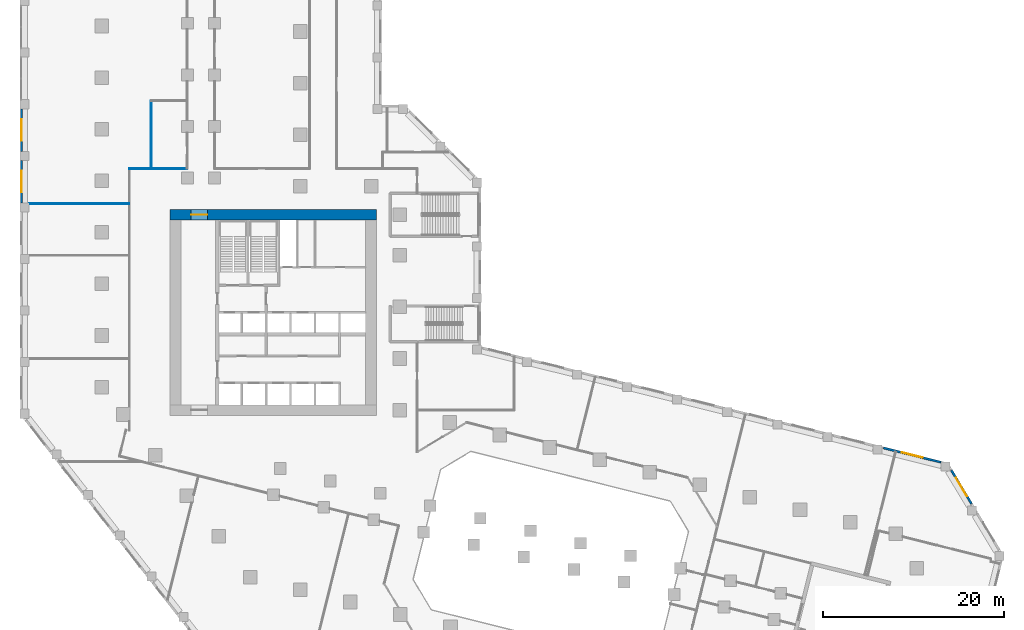
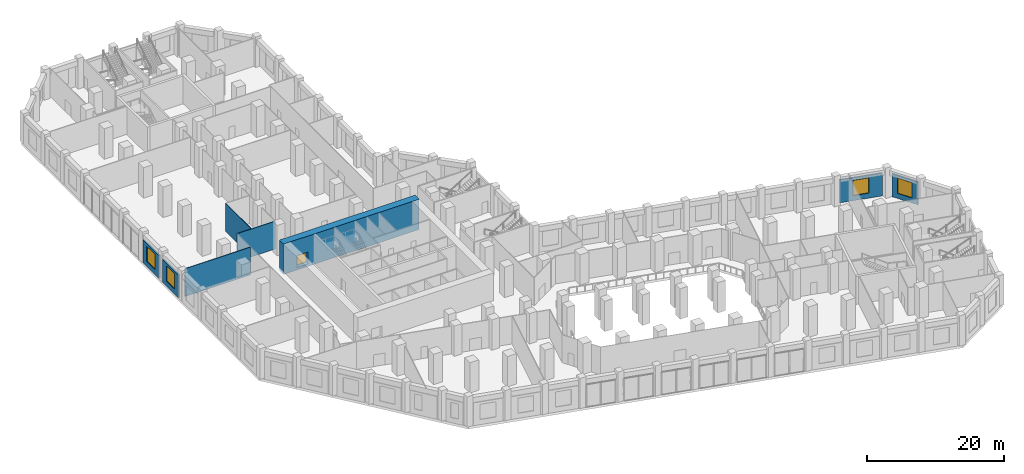
# One storey, part 14 of 23: 8 walls, 4 windows, 1 door, 5 openings.
"""IFC4 building model written with IfcOpenShell, lengths in metres."""

from ifc_helpers import new_model, si_unit, direction, frame, frame_2d, origin, place, context, subcontext, project, spatial, rectangle, extrude, material, layer, layer_set, type_object, element, fill, save


model = new_model("IFC4")

# Units and contexts
model_context = context("Model", 3, precision=1e-05, world=origin(), true_north=direction((0.0, 1.0)))
body_context = subcontext(model_context, "Body", "Model", "MODEL_VIEW")
ifc_project = project(units=[si_unit("LENGTHUNIT", "METRE"), si_unit("AREAUNIT", "SQUARE_METRE"), si_unit("VOLUMEUNIT", "CUBIC_METRE"), si_unit("PLANEANGLEUNIT", "RADIAN"), si_unit("MASSUNIT", "GRAM", prefix="KILO")], contexts=[model_context])

# Site, building, storey
site_placement = place(None, origin())
site = spatial("IfcSite", under=ifc_project, at=site_placement, CompositionType="ELEMENT")
building_placement = place(site_placement, origin())
building = spatial("IfcBuilding", under=site, at=building_placement, Name="Meshkara Civic Tower", CompositionType="ELEMENT")
storey_placement = place(building_placement, frame((0.0, 0.0, 7.199951171875)))
storey = spatial("IfcBuildingStorey", under=building, at=storey_placement, Name="L01", CompositionType="ELEMENT", Elevation=7.199951171875)

# Wall, opening, door
ifc_material_1 = material(Name="Concrete C80", Category="concrete")
ifc_layer_1 = layer(ifc_material_1, 1.199951171875)
ifc_layer_set_1 = layer_set([ifc_layer_1], Name="Core ring wall 1200 C80")
wall_type_1 = type_object("IfcWallType", Name="Core ring wall 1200 C80", PredefinedType="SHEAR", material=ifc_layer_set_1)
wall_1_placement = place(storey_placement, frame((8.0, 36.300048828125, -0.449951171875), z_axis=(0.0, 0.0, 1.0), x_axis=(1.0, 0.0, 0.0)))
wall_1 = element("IfcWall", 1, at=wall_1_placement, inside=storey, type_object=wall_type_1, Name="L01-C002", PredefinedType="SHEAR", context=body_context, shape_type="SweptSolid", body=[
    extrude(rectangle(XDim=22.800048828125, YDim=1.199951171875, at=frame_2d((11.39990234375, 0.0))), origin(), (0.0, 0.0, 1.0), 5.39990234375),
])
opening_1_placement = place(wall_1_placement, frame((2.300048828125, 0.0, 0.449951171875)))
opening_1 = element("IfcOpeningElement", 2, at=opening_1_placement, cuts=wall_1, Name="Opening L01-K020", PredefinedType="OPENING", context=body_context, shape_type="SweptSolid", body=[
    extrude(rectangle(XDim=1.800048828125, YDim=2.10009765625, at=frame_2d((0.89990234375, 1.050048828125))), frame((0.0, 0.60986328125, 0.0), z_axis=(0.0, -1.0, 0.0), x_axis=(1.0, 0.0, 0.0)), (0.0, 0.0, 1.0), 1.219970703125),
])
ifc_material_2 = material(Name="Fire-rated door leaf in steel frame", Category="steel")
door_type = type_object("IfcDoorType", Name="Core double door 1800 EI 60", OperationType="DOUBLE_DOOR_SINGLE_SWING", PredefinedType="DOOR", material=ifc_material_2)
door_placement = place(opening_1_placement, origin())
door = element("IfcDoor", 3, at=door_placement, inside=storey, type_object=door_type, Name="L01-K020", OperationType="DOUBLE_DOOR_SINGLE_SWING", OverallHeight=2.10009765625, OverallWidth=1.800048828125, PredefinedType="DOOR", context=body_context, shape_type="SweptSolid", body=[
    extrude(rectangle(XDim=1.800048828125, YDim=2.10009765625, at=frame_2d((0.89990234375, 1.050048828125))), frame((0.0, 0.02490234375, 0.0), z_axis=(0.0, -1.0, 0.0), x_axis=(1.0, 0.0, 0.0)), (0.0, 0.0, 1.0), 0.050048828125),
])
fill(opening_1, door)

# Wall
ifc_material_3 = material(Name="Corridor wall 100")
ifc_layer_2 = layer(ifc_material_3, 0.10009765625)
ifc_layer_set_2 = layer_set([ifc_layer_2], Name="Corridor wall 100")
wall_type_2 = type_object("IfcWallType", Name="Corridor wall 100", PredefinedType="PARTITIONING", material=ifc_layer_set_2)
wall_2_placement = place(storey_placement, frame((3.5, 41.39990234375, 0.0), z_axis=(0.0, 0.0, 1.0), x_axis=(1.0, 0.0, 0.0)))
element("IfcWall", 4, at=wall_2_placement, inside=storey, type_object=wall_type_2, Name="L01-R008", PredefinedType="PARTITIONING", context=body_context, shape_type="SweptSolid", body=[
    extrude(rectangle(XDim=6.39990234375, YDim=0.10009765625, at=frame_2d((3.199951171875, 0.0))), origin(), (0.0, 0.0, 1.0), 4.949951171875),
])

# Wall, opening, window
ifc_material_4 = material(Name="Stone cladding on insulated backing wall", Category="masonry")
ifc_layer_3 = layer(ifc_material_4, 0.25)
ifc_layer_set_3 = layer_set([ifc_layer_3], Name="PODIUM STONE WALL 250")
wall_type_3 = type_object("IfcWallType", Name="PODIUM STONE WALL 250", PredefinedType="SOLIDWALL", material=ifc_layer_set_3)
wall_3_placement = place(storey_placement, frame((-8.425048828125, 48.010986328125, 0.0), z_axis=(0.0, 0.0, 1.0), x_axis=(0.0, -1.0, 0.0)))
wall_3 = element("IfcWall", 5, at=wall_3_placement, inside=storey, type_object=wall_type_3, Name="Podium external wall", PredefinedType="SOLIDWALL", context=body_context, shape_type="SweptSolid", body=[
    extrude(rectangle(XDim=4.699951171875, YDim=0.25, at=frame_2d((2.35009765625, 0.0))), origin(), (0.0, 0.0, 1.0), 4.050048828125),
])
opening_2_placement = place(wall_3_placement, frame((1.14990234375, 0.0, 0.89990234375)))
opening_2 = element("IfcOpeningElement", 6, at=opening_2_placement, cuts=wall_3, Name="Opening PW4", PredefinedType="OPENING", context=body_context, shape_type="SweptSolid", body=[
    extrude(rectangle(XDim=2.39990234375, YDim=2.699951171875, at=frame_2d((1.199951171875, 1.35009765625))), frame((0.0, 0.135009765625, 0.0), z_axis=(0.0, -1.0, 0.0), x_axis=(1.0, 0.0, 0.0)), (0.0, 0.0, 1.0), 0.27001953125),
])
ifc_material_5 = material(Name="Tinted double glazing", Category="glass")
window_type = type_object("IfcWindowType", Name="PODIUM WINDOW 2400x2700", PartitioningType="DOUBLE_PANEL_VERTICAL", PredefinedType="WINDOW", material=ifc_material_5)
window_1_placement = place(opening_2_placement, origin())
window_1 = element("IfcWindow", 7, at=window_1_placement, inside=storey, type_object=window_type, Name="Podium window", OverallHeight=2.699951171875, OverallWidth=2.39990234375, PartitioningType="DOUBLE_PANEL_VERTICAL", PredefinedType="WINDOW", context=body_context, shape_type="SweptSolid", body=[
    extrude(rectangle(XDim=2.39990234375, YDim=2.699951171875, at=frame_2d((1.199951171875, 1.35009765625))), frame((0.0, 0.030029296875, 0.0), z_axis=(0.0, -1.0, 0.0), x_axis=(1.0, 0.0, 0.0)), (0.0, 0.0, 1.0), 0.06005859375),
])
fill(opening_2, window_1)

wall_4_placement = place(storey_placement, frame((-8.425048828125, 42.31103515625, 0.0), z_axis=(0.0, 0.0, 1.0), x_axis=(0.0, -1.0, 0.0)))
wall_4 = element("IfcWall", 8, at=wall_4_placement, inside=storey, type_object=wall_type_3, Name="Podium external wall", PredefinedType="SOLIDWALL", context=body_context, shape_type="SweptSolid", body=[
    extrude(rectangle(XDim=4.699951171875, YDim=0.25, at=frame_2d((2.35009765625, 0.0))), origin(), (0.0, 0.0, 1.0), 4.050048828125),
])
opening_3_placement = place(wall_4_placement, frame((1.14990234375, 0.0, 0.89990234375)))
opening_3 = element("IfcOpeningElement", 9, at=opening_3_placement, cuts=wall_4, Name="Opening PW4", PredefinedType="OPENING", context=body_context, shape_type="SweptSolid", body=[
    extrude(rectangle(XDim=2.39990234375, YDim=2.699951171875, at=frame_2d((1.199951171875, 1.35009765625))), frame((0.0, 0.135009765625, 0.0), z_axis=(0.0, -1.0, 0.0), x_axis=(1.0, 0.0, 0.0)), (0.0, 0.0, 1.0), 0.27001953125),
])
window_2_placement = place(opening_3_placement, origin())
window_2 = element("IfcWindow", 10, at=window_2_placement, inside=storey, type_object=window_type, Name="Podium window", OverallHeight=2.699951171875, OverallWidth=2.39990234375, PartitioningType="DOUBLE_PANEL_VERTICAL", PredefinedType="WINDOW", context=body_context, shape_type="SweptSolid", body=[
    extrude(rectangle(XDim=2.39990234375, YDim=2.699951171875, at=frame_2d((1.199951171875, 1.35009765625))), frame((0.0, 0.030029296875, 0.0), z_axis=(0.0, -1.0, 0.0), x_axis=(1.0, 0.0, 0.0)), (0.0, 0.0, 1.0), 0.06005859375),
])
fill(opening_3, window_2)

wall_5_placement = place(storey_placement, frame((96.552001953125, 4.35595703125, 0.0), z_axis=(0.0, 0.0, 1.0), x_axis=(-0.51527536796, 0.857024675942, 0.0)))
wall_5 = element("IfcWall", 11, at=wall_5_placement, inside=storey, type_object=wall_type_3, Name="Podium external wall", PredefinedType="SOLIDWALL", context=body_context, shape_type="SweptSolid", body=[
    extrude(rectangle(XDim=4.32763671875, YDim=0.25, at=frame_2d((2.163818359375, 0.0))), origin(), (0.0, 0.0, 1.0), 4.050048828125),
])
opening_4_placement = place(wall_5_placement, frame((0.964111328125, 0.0, 0.89990234375)))
opening_4 = element("IfcOpeningElement", 12, at=opening_4_placement, cuts=wall_5, Name="Opening PW4", PredefinedType="OPENING", context=body_context, shape_type="SweptSolid", body=[
    extrude(rectangle(XDim=2.39990234375, YDim=2.699951171875, at=frame_2d((1.199951171875, 1.35009765625))), frame((0.0, 0.135009765625, 0.0), z_axis=(0.0, -1.0, 0.0), x_axis=(1.0, 0.0, 0.0)), (0.0, 0.0, 1.0), 0.27001953125),
])
window_3_placement = place(opening_4_placement, origin())
window_3 = element("IfcWindow", 13, at=window_3_placement, inside=storey, type_object=window_type, Name="Podium window", OverallHeight=2.699951171875, OverallWidth=2.39990234375, PartitioningType="DOUBLE_PANEL_VERTICAL", PredefinedType="WINDOW", context=body_context, shape_type="SweptSolid", body=[
    extrude(rectangle(XDim=2.39990234375, YDim=2.699951171875, at=frame_2d((1.199951171875, 1.35009765625))), frame((0.0, 0.030029296875, 0.0), z_axis=(0.0, -1.0, 0.0), x_axis=(1.0, 0.0, 0.0)), (0.0, 0.0, 1.0), 0.06005859375),
])
fill(opening_4, window_3)

wall_6_placement = place(storey_placement, frame((93.180908203125, 8.947021484375, 0.0), z_axis=(0.0, 0.0, 1.0), x_axis=(-0.970262712144, 0.242054269584, 0.0)))
wall_6 = element("IfcWall", 14, at=wall_6_placement, inside=storey, type_object=wall_type_3, Name="Podium external wall", PredefinedType="SOLIDWALL", context=body_context, shape_type="SweptSolid", body=[
    extrude(rectangle(XDim=6.564208984375, YDim=0.25, at=frame_2d((3.2822265625, 0.0))), origin(), (0.0, 0.0, 1.0), 4.050048828125),
])
opening_5_placement = place(wall_6_placement, frame((2.08203125, 0.0, 0.89990234375)))
opening_5 = element("IfcOpeningElement", 15, at=opening_5_placement, cuts=wall_6, Name="Opening PW4", PredefinedType="OPENING", context=body_context, shape_type="SweptSolid", body=[
    extrude(rectangle(XDim=2.39990234375, YDim=2.699951171875, at=frame_2d((1.199951171875, 1.35009765625))), frame((0.0, 0.135009765625, 0.0), z_axis=(0.0, -1.0, 0.0), x_axis=(1.0, 0.0, 0.0)), (0.0, 0.0, 1.0), 0.27001953125),
])
window_4_placement = place(opening_5_placement, origin())
window_4 = element("IfcWindow", 16, at=window_4_placement, inside=storey, type_object=window_type, Name="Podium window", OverallHeight=2.699951171875, OverallWidth=2.39990234375, PartitioningType="DOUBLE_PANEL_VERTICAL", PredefinedType="WINDOW", context=body_context, shape_type="SweptSolid", body=[
    extrude(rectangle(XDim=2.39990234375, YDim=2.699951171875, at=frame_2d((1.199951171875, 1.35009765625))), frame((0.0, 0.030029296875, 0.0), z_axis=(0.0, -1.0, 0.0), x_axis=(1.0, 0.0, 0.0)), (0.0, 0.0, 1.0), 0.06005859375),
])
fill(opening_5, window_4)

# Walls
ifc_material_6 = material(Name="Partition 100")
ifc_layer_4 = layer(ifc_material_6, 0.10009765625)
ifc_layer_set_4 = layer_set([ifc_layer_4], Name="Partition 100")
wall_type_4 = type_object("IfcWallType", Name="Partition 100", PredefinedType="PARTITIONING", material=ifc_layer_set_4)
wall_7_placement = place(storey_placement, frame((3.449951171875, 37.5, 0.0), z_axis=(0.0, 0.0, 1.0), x_axis=(-1.0, 0.0, 0.0)))
element("IfcWall", 17, at=wall_7_placement, inside=storey, type_object=wall_type_4, Name="L01-R089", PredefinedType="PARTITIONING", context=body_context, shape_type="SweptSolid", body=[
    extrude(rectangle(XDim=11.030029296875, YDim=0.10009765625, at=frame_2d((5.51513671875, 0.0))), origin(), (0.0, 0.0, 1.0), 4.949951171875),
])
wall_8_placement = place(storey_placement, frame((5.89990234375, 48.89990234375, 0.0), z_axis=(0.0, 0.0, 1.0), x_axis=(0.0, -1.0, 0.0)))
element("IfcWall", 18, at=wall_8_placement, inside=storey, type_object=wall_type_4, Name="L01-R091", PredefinedType="PARTITIONING", context=body_context, shape_type="SweptSolid", body=[
    extrude(rectangle(XDim=7.449951171875, YDim=0.10009765625, at=frame_2d((3.72509765625, 0.0))), origin(), (0.0, 0.0, 1.0), 4.949951171875),
])

save(model, "model.ifc")
